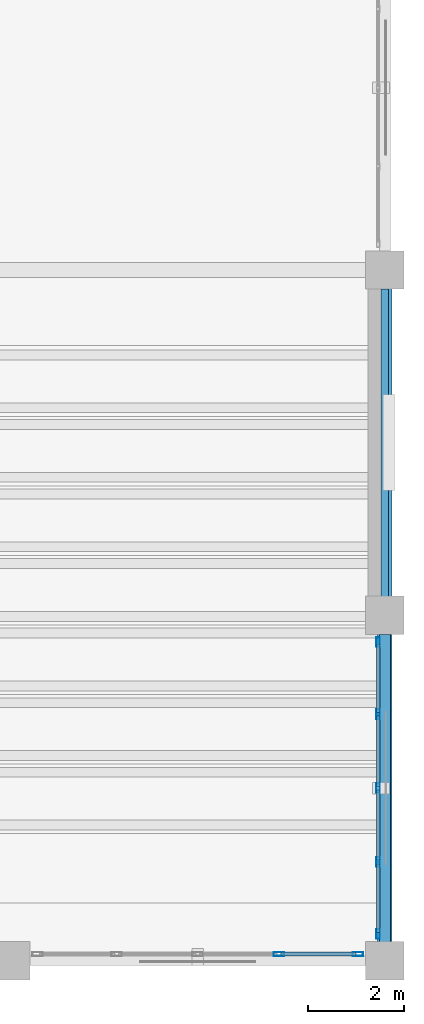
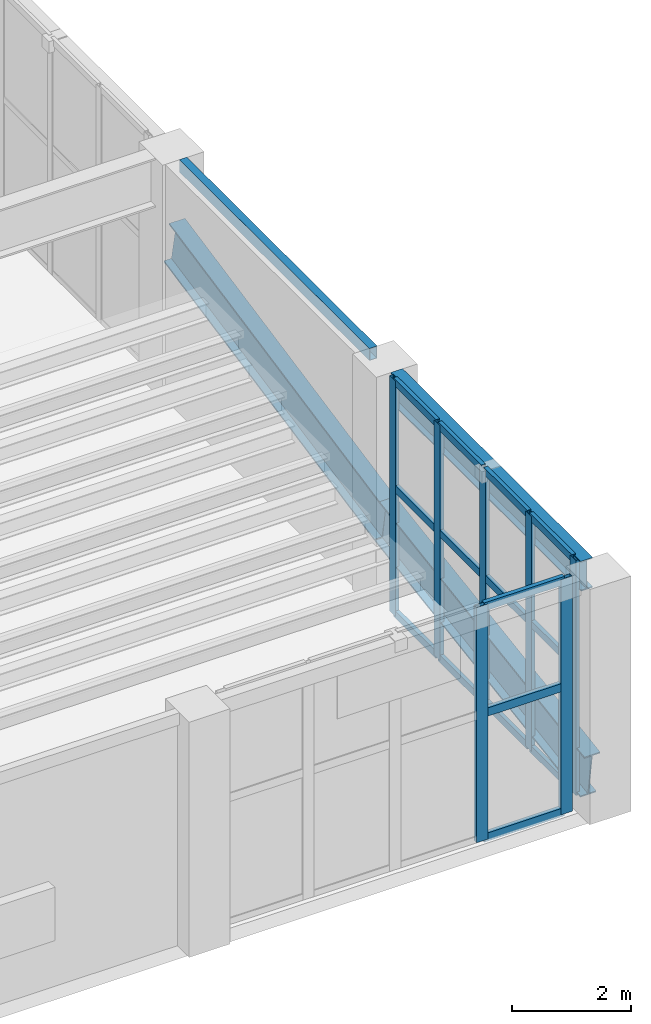
# One storey, part 85 of 128: 22 members, 4 beams, 2 elements without a shape of their own.
"""IFC4 building model written with IfcOpenShell, lengths in metres."""

from ifc_helpers import new_model, si_unit, direction, frame, origin, origin_2d, place, context, subcontext, project, spatial, hollow_rectangle, i_section, extrude, material, layer, layer_set, material_profile, profile_set, type_object, element, aggregate, save


model = new_model("IFC4")

# Units and contexts
model_context = context("Model", 3, precision=1e-05, world=origin(), true_north=direction((0.0, 1.0)))
body_context = subcontext(model_context, "Body", "Model", "MODEL_VIEW")
ifc_project = project(units=[si_unit("LENGTHUNIT", "METRE"), si_unit("AREAUNIT", "SQUARE_METRE"), si_unit("VOLUMEUNIT", "CUBIC_METRE"), si_unit("PLANEANGLEUNIT", "RADIAN"), si_unit("MASSUNIT", "GRAM", prefix="KILO")], contexts=[model_context])

# Site, building, storey
site_placement = place(None, origin())
site = spatial("IfcSite", under=ifc_project, at=site_placement, CompositionType="ELEMENT")
building_placement = place(site_placement, origin())
building = spatial("IfcBuilding", under=site, at=building_placement, Name="Xicomal Pleat Aquarium", CompositionType="ELEMENT")
storey_placement = place(building_placement, frame((0.0, 0.0, 5.39990234375)))
storey = spatial("IfcBuildingStorey", under=building, at=storey_placement, Name="L02", CompositionType="ELEMENT", Elevation=5.39990234375)

# Beams
ifc_material_1 = material(Name="Structural steel A992 Gr 50", Category="steel")
ifc_material_profile_1 = material_profile(ifc_material_1, i_section(OverallWidth=0.22998046875, OverallDepth=0.616943359375, WebThickness=0.01318359375, FlangeThickness=0.022216796875, at=origin_2d()), Name="IR 610x140")
ifc_profile_set_1 = profile_set([ifc_material_profile_1], Name="Structural steel A992 Gr 50")
beam_type_1 = type_object("IfcBeamType", Name="BM-STL-IR610", PredefinedType="BEAM", material=ifc_profile_set_1)
beam_1_placement = place(storey_placement, frame((165.0, 1.195068359375, 4.531494140625), z_axis=(0.0, 1.0, 0.0), x_axis=(-1.0, 0.0, 0.0)))
element("IfcBeam", 1, at=beam_1_placement, inside=storey, type_object=beam_type_1, Name="L02 framing beam FGY-L02-21-A-B", PredefinedType="BEAM", context=body_context, shape_type="SweptSolid", body=[
    extrude(i_section(OverallWidth=0.22998046875, OverallDepth=0.616943359375, WebThickness=0.01318359375, FlangeThickness=0.022216796875, at=origin_2d()), origin(), (0.0, 0.0, 1.0), 6.409912109375),
])
ifc_material_2 = material(Name="Structural steel A992 Gr 50", Category="steel")
ifc_material_profile_2 = material_profile(ifc_material_2, i_section(OverallWidth=0.306884765625, OverallDepth=0.923095703125, WebThickness=0.018310546875, FlangeThickness=0.030029296875, at=origin_2d()), Name="IR 920x271")
ifc_profile_set_2 = profile_set([ifc_material_profile_2], Name="Structural steel A992 Gr 50")
beam_type_2 = type_object("IfcBeamType", Name="BM-STL-IR920", PredefinedType="BEAM", material=ifc_profile_set_2)
beam_2_placement = place(storey_placement, frame((165.0, 1.080078125, 0.47998046875), z_axis=(0.0, 0.988254107269, 0.152819565063), x_axis=(-1.0, 0.0, 0.0)))
element("IfcBeam", 2, at=beam_2_placement, inside=storey, type_object=beam_type_2, Name="Auditorium raked tier girder 21 south", PredefinedType="BEAM", context=body_context, shape_type="SweptSolid", body=[
    extrude(i_section(OverallWidth=0.306884765625, OverallDepth=0.923095703125, WebThickness=0.018310546875, FlangeThickness=0.030029296875, at=origin_2d()), origin(), (0.0, 0.0, 1.0), 7.002197265625),
])
beam_3_placement = place(storey_placement, frame((165.0, 8.0, 1.550048828125), z_axis=(0.0, 0.98031660549, 0.197431894586), x_axis=(-1.0, 0.0, 0.0)))
element("IfcBeam", 3, at=beam_3_placement, inside=storey, type_object=beam_type_2, Name="Auditorium raked tier girder 21 north", PredefinedType="BEAM", context=body_context, shape_type="SweptSolid", body=[
    extrude(i_section(OverallWidth=0.306884765625, OverallDepth=0.923095703125, WebThickness=0.018310546875, FlangeThickness=0.030029296875, at=origin_2d()), origin(), (0.0, 0.0, 1.0), 7.24267578125),
])
ifc_material_3 = material(Name="Structural steel A500 Gr C", Category="steel")
ifc_material_profile_3 = material_profile(ifc_material_3, hollow_rectangle(XDim=0.14990234375, YDim=0.25, WallThickness=0.010009765625, at=origin_2d()), Name="OR 250x150x10")
ifc_profile_set_3 = profile_set([ifc_material_profile_3], Name="Structural steel A500 Gr C")
beam_type_3 = type_object("IfcBeamType", Name="BM-STL-OR250", PredefinedType="SPANDREL", material=ifc_profile_set_3)
beam_4_placement = place(storey_placement, frame((165.0, 8.39501953125, 4.715087890625), z_axis=(0.0, 1.0, 0.0), x_axis=(-1.0, 0.0, 0.0)))
element("IfcBeam", 4, at=beam_4_placement, inside=storey, type_object=beam_type_3, Name="L02 framing beam FGY-L02-21-B-C", PredefinedType="SPANDREL", context=body_context, shape_type="SweptSolid", body=[
    extrude(hollow_rectangle(XDim=0.14990234375, YDim=0.25, WallThickness=0.010009765625, at=origin_2d()), origin(), (0.0, 0.0, 1.0), 6.409912109375),
])

# Curtain wall, members
ifc_material_4 = material(Name="Bronze anodized aluminium 6063-T6", Category="aluminium")
ifc_layer_1 = layer(ifc_material_4, 0.159912109375)
ifc_layer_set_1 = layer_set([ifc_layer_1], Name="Bronze anodized aluminium 6063-T6")
curtain_wall_type_1 = type_object("IfcCurtainWallType", Name="CW-SYS-07", PredefinedType="NOTDEFINED", material=ifc_layer_set_1)
curtain_wall_1_placement = place(storey_placement, origin())
curtain_wall_1 = element("IfcCurtainWall", 5, at=curtain_wall_1_placement, inside=storey, type_object=curtain_wall_type_1, Name="L02 unitised curtain wall CW-L02-073", PredefinedType="NOTDEFINED")
ifc_material_5 = material(Name="Bronze anodized aluminium 6063-T6", Category="aluminium")
ifc_material_profile_4 = material_profile(ifc_material_5, hollow_rectangle(XDim=0.074951171875, YDim=0.199951171875, WallThickness=0.00439453125, at=origin_2d()), Name="ALU MULL 75x200")
ifc_profile_set_4 = profile_set([ifc_material_profile_4], Name="Bronze anodized aluminium 6063-T6")
member_type_1 = type_object("IfcMemberType", Name="CWM-75x200", PredefinedType="MULLION", material=ifc_profile_set_4)
member_1_placement = place(storey_placement, frame((164.860107421875, 7.4423828125, 0.0), z_axis=(0.0, 0.0, 1.0), x_axis=(1.0, 0.0, 0.0)))
member_1 = element("IfcMember", 6, at=member_1_placement, type_object=member_type_1, Name="CW-07 mullion 1", PredefinedType="MULLION", context=body_context, shape_type="SweptSolid", body=[
    extrude(hollow_rectangle(XDim=0.074951171875, YDim=0.199951171875, WallThickness=0.00439453125, at=origin_2d()), origin(), (0.0, 0.0, 1.0), 4.840087890625),
])
member_2_placement = place(storey_placement, frame((164.860107421875, 5.93994140625, 0.0), z_axis=(0.0, 0.0, 1.0), x_axis=(1.0, 0.0, 0.0)))
member_2 = element("IfcMember", 7, at=member_2_placement, type_object=member_type_1, Name="CW-07 mullion 2", PredefinedType="MULLION", context=body_context, shape_type="SweptSolid", body=[
    extrude(hollow_rectangle(XDim=0.074951171875, YDim=0.199951171875, WallThickness=0.00439453125, at=origin_2d()), origin(), (0.0, 0.0, 1.0), 4.840087890625),
])
member_3_placement = place(storey_placement, frame((164.860107421875, 4.39990234375, 0.0), z_axis=(0.0, 0.0, 1.0), x_axis=(1.0, 0.0, 0.0)))
member_3 = element("IfcMember", 8, at=member_3_placement, type_object=member_type_1, Name="CW-07 mullion 3", PredefinedType="MULLION", context=body_context, shape_type="SweptSolid", body=[
    extrude(hollow_rectangle(XDim=0.074951171875, YDim=0.199951171875, WallThickness=0.00439453125, at=origin_2d()), origin(), (0.0, 0.0, 1.0), 4.840087890625),
])
member_4_placement = place(storey_placement, frame((164.860107421875, 2.860107421875, 0.0), z_axis=(0.0, 0.0, 1.0), x_axis=(1.0, 0.0, 0.0)))
member_4 = element("IfcMember", 9, at=member_4_placement, type_object=member_type_1, Name="CW-07 mullion 4", PredefinedType="MULLION", context=body_context, shape_type="SweptSolid", body=[
    extrude(hollow_rectangle(XDim=0.074951171875, YDim=0.199951171875, WallThickness=0.00439453125, at=origin_2d()), origin(), (0.0, 0.0, 1.0), 4.840087890625),
])
member_5_placement = place(storey_placement, frame((164.860107421875, 1.357421875, 0.0), z_axis=(0.0, 0.0, 1.0), x_axis=(1.0, 0.0, 0.0)))
member_5 = element("IfcMember", 10, at=member_5_placement, type_object=member_type_1, Name="CW-07 mullion 5", PredefinedType="MULLION", context=body_context, shape_type="SweptSolid", body=[
    extrude(hollow_rectangle(XDim=0.074951171875, YDim=0.199951171875, WallThickness=0.00439453125, at=origin_2d()), origin(), (0.0, 0.0, 1.0), 4.840087890625),
])

ifc_material_6 = material(Name="Bronze anodized aluminium 6063-T6", Category="aluminium")
ifc_layer_2 = layer(ifc_material_6, 0.159912109375)
ifc_layer_set_2 = layer_set([ifc_layer_2], Name="Bronze anodized aluminium 6063-T6")
curtain_wall_type_2 = type_object("IfcCurtainWallType", Name="CW-SYS-12", PredefinedType="NOTDEFINED", material=ifc_layer_set_2)
curtain_wall_2_placement = place(storey_placement, origin())
curtain_wall_2 = element("IfcCurtainWall", 11, at=curtain_wall_2_placement, inside=storey, type_object=curtain_wall_type_2, Name="L02 unitised curtain wall CW-L02-074", PredefinedType="NOTDEFINED")
ifc_material_7 = material(Name="Bronze anodized aluminium 6063-T6", Category="aluminium")
ifc_material_profile_5 = material_profile(ifc_material_7, hollow_rectangle(XDim=0.0849609375, YDim=0.219970703125, WallThickness=0.0048828125, at=origin_2d()), Name="ALU MULL 85x220")
ifc_profile_set_5 = profile_set([ifc_material_profile_5], Name="Bronze anodized aluminium 6063-T6")
member_type_2 = type_object("IfcMemberType", Name="CWM-85x220", PredefinedType="MULLION", material=ifc_profile_set_5)
member_6_placement = place(storey_placement, frame((164.4375, 0.93994140625, 0.0), z_axis=(0.0, 0.0, 1.0), x_axis=(0.0, -1.0, 0.0)))
member_6 = element("IfcMember", 12, at=member_6_placement, type_object=member_type_2, Name="CW-12 mullion 1", PredefinedType="MULLION", context=body_context, shape_type="SweptSolid", body=[
    extrude(hollow_rectangle(XDim=0.0849609375, YDim=0.219970703125, WallThickness=0.0048828125, at=origin_2d()), origin(), (0.0, 0.0, 1.0), 4.840087890625),
])
member_7_placement = place(storey_placement, frame((162.7900390625, 0.93994140625, 0.0), z_axis=(0.0, 0.0, 1.0), x_axis=(0.0, -1.0, 0.0)))
member_7 = element("IfcMember", 13, at=member_7_placement, type_object=member_type_2, Name="CW-12 mullion 2", PredefinedType="MULLION", context=body_context, shape_type="SweptSolid", body=[
    extrude(hollow_rectangle(XDim=0.0849609375, YDim=0.219970703125, WallThickness=0.0048828125, at=origin_2d()), origin(), (0.0, 0.0, 1.0), 4.840087890625),
])

# Member
ifc_material_8 = material(Name="Bronze anodized aluminium 6063-T6", Category="aluminium")
ifc_material_profile_6 = material_profile(ifc_material_8, hollow_rectangle(XDim=0.074951171875, YDim=0.14990234375, WallThickness=0.00439453125, at=origin_2d()), Name="ALU TRAN 75x150")
ifc_profile_set_6 = profile_set([ifc_material_profile_6], Name="Bronze anodized aluminium 6063-T6")
member_type_3 = type_object("IfcMemberType", Name="CWT-75x150", PredefinedType="USERDEFINED", material=ifc_profile_set_6)
member_8_placement = place(storey_placement, frame((164.860107421875, 7.405029296875, 0.03759765625), z_axis=(0.0, -1.0, 0.0), x_axis=(1.0, 0.0, 0.0)))
member_8 = element("IfcMember", 14, at=member_8_placement, type_object=member_type_3, Name="CW-07 transom 1.1", ObjectType="TRANSOM", PredefinedType="USERDEFINED", context=body_context, shape_type="SweptSolid", body=[
    extrude(hollow_rectangle(XDim=0.074951171875, YDim=0.14990234375, WallThickness=0.00439453125, at=origin_2d()), origin(), (0.0, 0.0, 1.0), 1.427490234375),
])

member_9_placement = place(storey_placement, frame((164.860107421875, 7.405029296875, 2.614013671875), z_axis=(0.0, -1.0, 0.0), x_axis=(1.0, 0.0, 0.0)))
member_9 = element("IfcMember", 15, at=member_9_placement, type_object=member_type_3, Name="CW-07 transom 1.2", ObjectType="TRANSOM", PredefinedType="USERDEFINED", context=body_context, shape_type="SweptSolid", body=[
    extrude(hollow_rectangle(XDim=0.074951171875, YDim=0.14990234375, WallThickness=0.00439453125, at=origin_2d()), origin(), (0.0, 0.0, 1.0), 1.427490234375),
])

member_10_placement = place(storey_placement, frame((164.860107421875, 7.405029296875, 4.802490234375), z_axis=(0.0, -1.0, 0.0), x_axis=(1.0, 0.0, 0.0)))
member_10 = element("IfcMember", 16, at=member_10_placement, type_object=member_type_3, Name="CW-07 transom 1.3", ObjectType="TRANSOM", PredefinedType="USERDEFINED", context=body_context, shape_type="SweptSolid", body=[
    extrude(hollow_rectangle(XDim=0.074951171875, YDim=0.14990234375, WallThickness=0.00439453125, at=origin_2d()), origin(), (0.0, 0.0, 1.0), 1.427490234375),
])

member_11_placement = place(storey_placement, frame((164.860107421875, 5.902587890625, 0.03759765625), z_axis=(0.0, -1.0, 0.0), x_axis=(1.0, 0.0, 0.0)))
member_11 = element("IfcMember", 17, at=member_11_placement, type_object=member_type_3, Name="CW-07 transom 2.1", ObjectType="TRANSOM", PredefinedType="USERDEFINED", context=body_context, shape_type="SweptSolid", body=[
    extrude(hollow_rectangle(XDim=0.074951171875, YDim=0.14990234375, WallThickness=0.00439453125, at=origin_2d()), origin(), (0.0, 0.0, 1.0), 1.465087890625),
])

member_12_placement = place(storey_placement, frame((164.860107421875, 5.902587890625, 2.614013671875), z_axis=(0.0, -1.0, 0.0), x_axis=(1.0, 0.0, 0.0)))
member_12 = element("IfcMember", 18, at=member_12_placement, type_object=member_type_3, Name="CW-07 transom 2.2", ObjectType="TRANSOM", PredefinedType="USERDEFINED", context=body_context, shape_type="SweptSolid", body=[
    extrude(hollow_rectangle(XDim=0.074951171875, YDim=0.14990234375, WallThickness=0.00439453125, at=origin_2d()), origin(), (0.0, 0.0, 1.0), 1.465087890625),
])

member_13_placement = place(storey_placement, frame((164.860107421875, 5.902587890625, 4.802490234375), z_axis=(0.0, -1.0, 0.0), x_axis=(1.0, 0.0, 0.0)))
member_13 = element("IfcMember", 19, at=member_13_placement, type_object=member_type_3, Name="CW-07 transom 2.3", ObjectType="TRANSOM", PredefinedType="USERDEFINED", context=body_context, shape_type="SweptSolid", body=[
    extrude(hollow_rectangle(XDim=0.074951171875, YDim=0.14990234375, WallThickness=0.00439453125, at=origin_2d()), origin(), (0.0, 0.0, 1.0), 1.465087890625),
])

member_14_placement = place(storey_placement, frame((164.860107421875, 4.362548828125, 0.03759765625), z_axis=(0.0, -1.0, 0.0), x_axis=(1.0, 0.0, 0.0)))
member_14 = element("IfcMember", 20, at=member_14_placement, type_object=member_type_3, Name="CW-07 transom 3.1", ObjectType="TRANSOM", PredefinedType="USERDEFINED", context=body_context, shape_type="SweptSolid", body=[
    extrude(hollow_rectangle(XDim=0.074951171875, YDim=0.14990234375, WallThickness=0.00439453125, at=origin_2d()), origin(), (0.0, 0.0, 1.0), 1.465087890625),
])

member_15_placement = place(storey_placement, frame((164.860107421875, 4.362548828125, 2.614013671875), z_axis=(0.0, -1.0, 0.0), x_axis=(1.0, 0.0, 0.0)))
member_15 = element("IfcMember", 21, at=member_15_placement, type_object=member_type_3, Name="CW-07 transom 3.2", ObjectType="TRANSOM", PredefinedType="USERDEFINED", context=body_context, shape_type="SweptSolid", body=[
    extrude(hollow_rectangle(XDim=0.074951171875, YDim=0.14990234375, WallThickness=0.00439453125, at=origin_2d()), origin(), (0.0, 0.0, 1.0), 1.465087890625),
])

member_16_placement = place(storey_placement, frame((164.860107421875, 4.362548828125, 4.802490234375), z_axis=(0.0, -1.0, 0.0), x_axis=(1.0, 0.0, 0.0)))
member_16 = element("IfcMember", 22, at=member_16_placement, type_object=member_type_3, Name="CW-07 transom 3.3", ObjectType="TRANSOM", PredefinedType="USERDEFINED", context=body_context, shape_type="SweptSolid", body=[
    extrude(hollow_rectangle(XDim=0.074951171875, YDim=0.14990234375, WallThickness=0.00439453125, at=origin_2d()), origin(), (0.0, 0.0, 1.0), 1.465087890625),
])

member_17_placement = place(storey_placement, frame((164.860107421875, 2.822509765625, 0.03759765625), z_axis=(0.0, -1.0, 0.0), x_axis=(1.0, 0.0, 0.0)))
member_17 = element("IfcMember", 23, at=member_17_placement, type_object=member_type_3, Name="CW-07 transom 4.1", ObjectType="TRANSOM", PredefinedType="USERDEFINED", context=body_context, shape_type="SweptSolid", body=[
    extrude(hollow_rectangle(XDim=0.074951171875, YDim=0.14990234375, WallThickness=0.00439453125, at=origin_2d()), origin(), (0.0, 0.0, 1.0), 1.427490234375),
])

member_18_placement = place(storey_placement, frame((164.860107421875, 2.822509765625, 2.614013671875), z_axis=(0.0, -1.0, 0.0), x_axis=(1.0, 0.0, 0.0)))
member_18 = element("IfcMember", 24, at=member_18_placement, type_object=member_type_3, Name="CW-07 transom 4.2", ObjectType="TRANSOM", PredefinedType="USERDEFINED", context=body_context, shape_type="SweptSolid", body=[
    extrude(hollow_rectangle(XDim=0.074951171875, YDim=0.14990234375, WallThickness=0.00439453125, at=origin_2d()), origin(), (0.0, 0.0, 1.0), 1.427490234375),
])

member_19_placement = place(storey_placement, frame((164.860107421875, 2.822509765625, 4.802490234375), z_axis=(0.0, -1.0, 0.0), x_axis=(1.0, 0.0, 0.0)))
member_19 = element("IfcMember", 25, at=member_19_placement, type_object=member_type_3, Name="CW-07 transom 4.3", ObjectType="TRANSOM", PredefinedType="USERDEFINED", context=body_context, shape_type="SweptSolid", body=[
    extrude(hollow_rectangle(XDim=0.074951171875, YDim=0.14990234375, WallThickness=0.00439453125, at=origin_2d()), origin(), (0.0, 0.0, 1.0), 1.427490234375),
])

aggregate(curtain_wall_1, [member_1, member_2, member_3, member_4, member_5, member_8, member_9, member_10, member_11, member_12, member_13, member_14, member_15, member_16, member_17, member_18, member_19])

ifc_material_9 = material(Name="Bronze anodized aluminium 6063-T6", Category="aluminium")
ifc_material_profile_7 = material_profile(ifc_material_9, hollow_rectangle(XDim=0.0849609375, YDim=0.169921875, WallThickness=0.0048828125, at=origin_2d()), Name="ALU TRAN 85x170")
ifc_profile_set_7 = profile_set([ifc_material_profile_7], Name="Bronze anodized aluminium 6063-T6")
member_type_4 = type_object("IfcMemberType", Name="CWT-85x170", PredefinedType="USERDEFINED", material=ifc_profile_set_7)
member_20_placement = place(storey_placement, frame((164.39501953125, 0.93994140625, 0.04248046875), z_axis=(-1.0, 0.0, 0.0), x_axis=(0.0, -1.0, 0.0)))
member_20 = element("IfcMember", 26, at=member_20_placement, type_object=member_type_4, Name="CW-12 transom 1.1", ObjectType="TRANSOM", PredefinedType="USERDEFINED", context=body_context, shape_type="SweptSolid", body=[
    extrude(hollow_rectangle(XDim=0.0849609375, YDim=0.169921875, WallThickness=0.0048828125, at=origin_2d()), origin(), (0.0, 0.0, 1.0), 1.5625),
])

member_21_placement = place(storey_placement, frame((164.39501953125, 0.93994140625, 2.614013671875), z_axis=(-1.0, 0.0, 0.0), x_axis=(0.0, -1.0, 0.0)))
member_21 = element("IfcMember", 27, at=member_21_placement, type_object=member_type_4, Name="CW-12 transom 1.2", ObjectType="TRANSOM", PredefinedType="USERDEFINED", context=body_context, shape_type="SweptSolid", body=[
    extrude(hollow_rectangle(XDim=0.0849609375, YDim=0.169921875, WallThickness=0.0048828125, at=origin_2d()), origin(), (0.0, 0.0, 1.0), 1.5625),
])

member_22_placement = place(storey_placement, frame((164.39501953125, 0.93994140625, 4.797607421875), z_axis=(-1.0, 0.0, 0.0), x_axis=(0.0, -1.0, 0.0)))
member_22 = element("IfcMember", 28, at=member_22_placement, type_object=member_type_4, Name="CW-12 transom 1.3", ObjectType="TRANSOM", PredefinedType="USERDEFINED", context=body_context, shape_type="SweptSolid", body=[
    extrude(hollow_rectangle(XDim=0.0849609375, YDim=0.169921875, WallThickness=0.0048828125, at=origin_2d()), origin(), (0.0, 0.0, 1.0), 1.5625),
])

aggregate(curtain_wall_2, [member_6, member_7, member_20, member_21, member_22])

save(model, "model.ifc")
